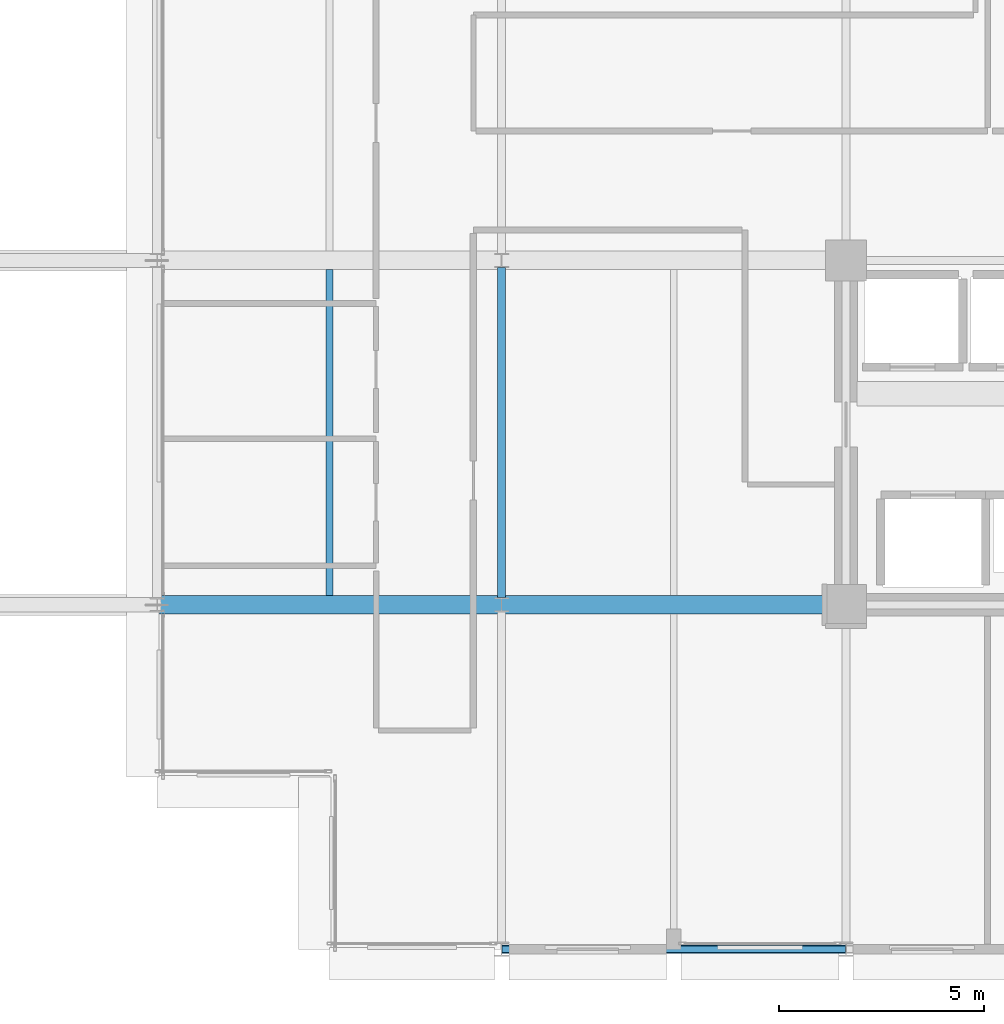
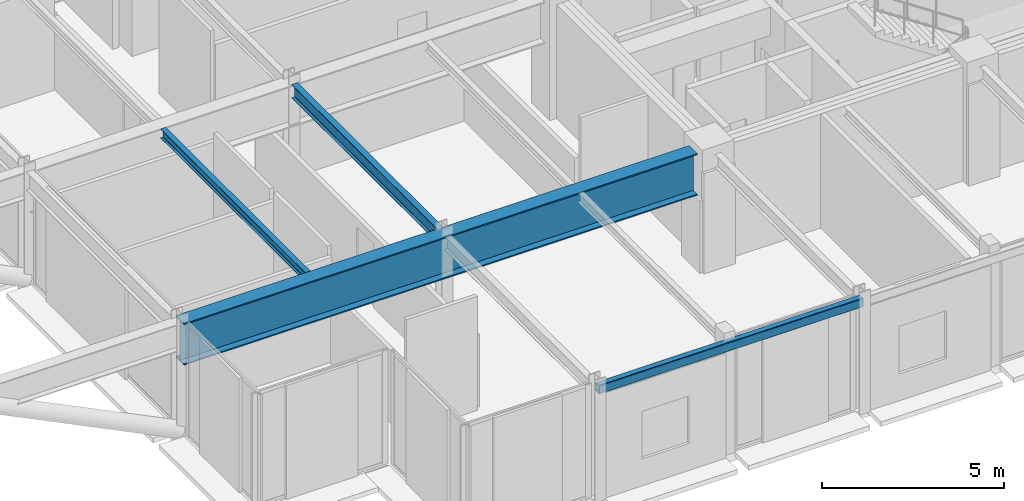
# One storey, part 5 of 30: 4 beams.
"""IFC4 building model written with IfcOpenShell, lengths in metres."""

import ifcopenshell
import ifcopenshell.guid

model = None  # the IFC model being written
_history = None  # IfcOwnerHistory: only IFC2X3 demands one
_inside = {}  # id of a spatial element -> (the spatial element, [elements in it])
_under = {}  # id of a project, library or spatial element -> (it, [spatial elements below it])
_declared = {}  # id of a project -> (the project, [libraries it declares])
_typed = {}  # id of a type object -> (the type object, [elements of that type])
_made_of = {}  # id of a material, layer set ... -> (it, [elements and type objects made of it])


def new_model(schema):
    """Start an empty IFC model of exactly this schema.

    Asked for "IFC4X3", IfcOpenShell would pick the latest addendum, in which some entities
    have other attributes; the version numbers below select the first issue.
    IFC2X3 requires an IfcOwnerHistory on every rooted entity: one is made here for all.
    """
    global model, _history
    if schema == "IFC4X3":
        model = ifcopenshell.file(schema_version=(4, 3, 0, 0))
    else:
        model = ifcopenshell.file(schema=schema)
    _inside.clear()
    _under.clear()
    _declared.clear()
    _typed.clear()
    _made_of.clear()
    _history = None
    if model.schema == "IFC2X3":
        org = make("IfcOrganization", Name="unknown")
        user = make(
            "IfcPersonAndOrganization",
            ThePerson=make("IfcPerson", FamilyName="unknown"),
            TheOrganization=org,
        )
        app = make(
            "IfcApplication",
            ApplicationDeveloper=org,
            Version="unknown",
            ApplicationFullName="unknown",
            ApplicationIdentifier="unknown",
        )
        _history = make(
            "IfcOwnerHistory",
            OwningUser=user,
            OwningApplication=app,
            ChangeAction="ADDED",
            CreationDate=0,
        )
    return model


def make(cls, **values):
    """One entity of the class cls with the attributes given. An attribute that is None is left unset."""
    return model.create_entity(
        cls, **{name: value for name, value in values.items() if value is not None}
    )


def rooted(cls, **values):
    """An entity with a GlobalId (a new one), such as an element, a storey or a relation."""
    return make(cls, GlobalId=ifcopenshell.guid.new(), OwnerHistory=_history, **values)


def si_unit(unit_type, name, prefix=None):
    """IfcSIUnit, for example si_unit("LENGTHUNIT", "METRE", prefix="MILLI")."""
    return make("IfcSIUnit", UnitType=unit_type, Prefix=prefix, Name=name)


def assignment(units):
    """IfcUnitAssignment: the units of a project."""
    return None if units is None else make("IfcUnitAssignment", Units=units)


def point(xyz):
    """IfcCartesianPoint."""
    return None if xyz is None else make("IfcCartesianPoint", Coordinates=xyz)


def direction(xyz):
    """IfcDirection."""
    return None if xyz is None else make("IfcDirection", DirectionRatios=xyz)


def frame(location, z_axis=None, x_axis=None):
    """IfcAxis2Placement3D, a coordinate frame: its origin and axes. An axis left out is left unset."""
    return make(
        "IfcAxis2Placement3D",
        Location=point(location),
        Axis=direction(z_axis),
        RefDirection=direction(x_axis),
    )


def frame_2d(location, x_axis=None):
    """IfcAxis2Placement2D, a coordinate frame in the plane: its origin and x axis."""
    return make(
        "IfcAxis2Placement2D", Location=point(location), RefDirection=direction(x_axis)
    )


def origin():
    """The frame at (0, 0, 0) with its axes left unset."""
    return frame((0.0, 0.0, 0.0))


def origin_2d():
    """The frame at (0, 0) in the plane with its x axis left unset."""
    return frame_2d((0.0, 0.0))


def place(relative_to, where):
    """IfcLocalPlacement: puts the frame where relative to a parent placement (None: the world)."""
    return make(
        "IfcLocalPlacement", PlacementRelTo=relative_to, RelativePlacement=where
    )


def context(
    kind, dimensions, precision=None, world=None, true_north=None, identifier=None
):
    """IfcGeometricRepresentationContext, for example the 3D "Model" context."""
    return make(
        "IfcGeometricRepresentationContext",
        ContextIdentifier=identifier,
        ContextType=kind,
        CoordinateSpaceDimension=dimensions,
        Precision=precision,
        WorldCoordinateSystem=world,
        TrueNorth=true_north,
    )


def subcontext(parent, identifier, kind, view, scale=None):
    """IfcGeometricRepresentationSubContext, for example "Body" below "Model"."""
    return make(
        "IfcGeometricRepresentationSubContext",
        ContextIdentifier=identifier,
        ContextType=kind,
        ParentContext=parent,
        TargetScale=scale,
        TargetView=view,
    )


def project(units=None, contexts=None):
    """IfcProject with its units and contexts."""
    return rooted(
        "IfcProject",
        Name="project",
        RepresentationContexts=contexts,
        UnitsInContext=assignment(units),
    )


def spatial(cls, under=None, at=None, **own):
    """A site, building, storey or space (cls), placed at a placement, below another one or the project."""
    s = rooted(cls, ObjectPlacement=at, **own)
    if under is not None:
        _under.setdefault(under.id(), (under, []))[1].append(s)
    return s


def profile(cls, at=None, kind="AREA", **sizes):
    """A parametric profile (cls). Its sizes go by their IFC names, for example OverallWidth=200.0."""
    return make(cls, ProfileType=kind, Position=at, **sizes)


def hollow_rectangle(**sizes):
    """IfcRectangleHollowProfileDef."""
    return profile("IfcRectangleHollowProfileDef", **sizes)


def i_section(**sizes):
    """IfcIShapeProfileDef."""
    return profile("IfcIShapeProfileDef", **sizes)


def extrude(swept, where, along, depth):
    """IfcExtrudedAreaSolid: the profile swept, set in the frame where, extruded along a direction by depth."""
    return make(
        "IfcExtrudedAreaSolid",
        SweptArea=swept,
        Position=where,
        ExtrudedDirection=direction(along),
        Depth=depth,
    )


def shape(context_of_items, identifier, shape_type, items):
    """IfcShapeRepresentation: the items that make up one representation, for example the "Body"."""
    return make(
        "IfcShapeRepresentation",
        ContextOfItems=context_of_items,
        RepresentationIdentifier=identifier,
        RepresentationType=shape_type,
        Items=items,
    )


def material(Name=None, Category=None):
    """IfcMaterial."""
    return make("IfcMaterial", Name=Name, Category=Category)


def material_profile(
    of_material, cross_section, Name=None, Category=None, Priority=None
):
    """IfcMaterialProfile: a cross section and its material."""
    return make(
        "IfcMaterialProfile",
        Name=Name,
        Material=of_material,
        Profile=cross_section,
        Priority=Priority,
        Category=Category,
    )


def profile_set(profiles, Name=None, composite=None):
    """IfcMaterialProfileSet."""
    return make(
        "IfcMaterialProfileSet",
        Name=Name,
        MaterialProfiles=profiles,
        CompositeProfile=composite,
    )


def made_of(thing, what):
    """Note that an element or type object is made of a material, layer set ...; save() writes the relation."""
    if what is not None:
        _made_of.setdefault(what.id(), (what, []))[1].append(thing)
    return thing


def type_object(cls, material=None, **own):
    """A type object (cls), such as IfcWallType, which elements share."""
    return made_of(rooted(cls, **own), material)


def element(
    cls,
    number,
    at=None,
    inside=None,
    cuts=None,
    type_object=None,
    material=None,
    context=None,
    identifier="Body",
    shape_type=None,
    held_by="IfcProductDefinitionShape",
    body=None,
    shapes=None,
    **own,
):
    """One element of the class cls, such as IfcWall. Its Tag is "e" and its number.

    at: its placement. inside: the storey or other place that contains it. cuts: it is an
    opening in that element (IfcRelVoidsElement). A single representation is given by context,
    identifier, shape_type and body (its items); several are given by shapes. held_by: the class
    of the entity that holds the representations. save() writes the other relations.
    """
    e = rooted(cls, Tag="e%d" % number, ObjectPlacement=at, **own)
    if body is not None:
        shapes = [shape(context, identifier, shape_type, body)]
    if shapes is not None:
        e.Representation = make(held_by, Representations=shapes)
    if inside is not None:
        _inside.setdefault(inside.id(), (inside, []))[1].append(e)
    if cuts is not None:
        rooted(
            "IfcRelVoidsElement", RelatingBuildingElement=cuts, RelatedOpeningElement=e
        )
    if type_object is not None:
        _typed.setdefault(type_object.id(), (type_object, []))[1].append(e)
    return made_of(e, material)


def aggregate(whole, parts):
    """IfcRelAggregates: a whole, such as a stair, and the parts it consists of."""
    return rooted("IfcRelAggregates", RelatingObject=whole, RelatedObjects=parts)


def save(model, path):
    """Write the relations noted so far, then the file.

    IfcRelAggregates (storeys below a building ...), IfcRelContainedInSpatialStructure (elements
    in a storey), IfcRelDefinesByType, IfcRelAssociatesMaterial and IfcRelDeclares: one each for
    every whole, place, type object, material and project.
    """
    for whole, parts in _under.values():
        aggregate(whole, parts)
    for where, things in _inside.values():
        rooted(
            "IfcRelContainedInSpatialStructure",
            RelatedElements=things,
            RelatingStructure=where,
        )
    for kind, things in _typed.values():
        rooted("IfcRelDefinesByType", RelatedObjects=things, RelatingType=kind)
    for what, things in _made_of.values():
        rooted("IfcRelAssociatesMaterial", RelatedObjects=things, RelatingMaterial=what)
    for by, libraries in _declared.values():
        rooted("IfcRelDeclares", RelatingContext=by, RelatedDefinitions=libraries)
    model.write(path)


model = new_model("IFC4")

# Units and contexts
model_context = context("Model", 3, precision=1e-05, world=origin(), true_north=direction((0.0, 1.0)))
body_context = subcontext(model_context, "Body", "Model", "MODEL_VIEW")
ifc_project = project(units=[si_unit("LENGTHUNIT", "METRE"), si_unit("AREAUNIT", "SQUARE_METRE"), si_unit("VOLUMEUNIT", "CUBIC_METRE"), si_unit("PLANEANGLEUNIT", "RADIAN"), si_unit("MASSUNIT", "GRAM", prefix="KILO")], contexts=[model_context])

# Site, building, storey
site_placement = place(None, origin())
site = spatial("IfcSite", under=ifc_project, at=site_placement, CompositionType="ELEMENT")
building_placement = place(site_placement, origin())
building = spatial("IfcBuilding", under=site, at=building_placement, Name="Nerrivon Quay Data Exchange", CompositionType="ELEMENT")
storey_placement = place(building_placement, frame((0.0, 0.0, 167.300048828125)))
storey = spatial("IfcBuildingStorey", under=building, at=storey_placement, Name="L39", CompositionType="ELEMENT", Elevation=167.300048828125)

# Beams
ifc_material_1 = material(Name="Steel Grade 350", Category="steel")
ifc_material_profile_1 = material_profile(ifc_material_1, i_section(OverallWidth=0.18994140625, OverallDepth=0.4541015625, WebThickness=0.008544921875, FlangeThickness=0.0126953125, FilletRadius=0.011474609375, at=origin_2d()), Name="460UB67.1")
ifc_profile_set_1 = profile_set([ifc_material_profile_1], Name="Steel Grade 350")
beam_type_1 = type_object("IfcBeamType", Name="BM-G6-460UB67", PredefinedType="BEAM", material=ifc_profile_set_1)
beam_1_placement = place(storey_placement, frame((8.39990234375, 8.574951171875, 3.597900390625), z_axis=(0.0, 1.0, 0.0), x_axis=(-1.0, 0.0, 0.0)))
element("IfcBeam", 1, at=beam_1_placement, inside=storey, type_object=beam_type_1, Name="L39 NS Girder X=8.4 (8.4..16.8)", PredefinedType="BEAM", context=body_context, shape_type="SweptSolid", body=[
    extrude(i_section(OverallWidth=0.18994140625, OverallDepth=0.4541015625, WebThickness=0.008544921875, FlangeThickness=0.0126953125, FilletRadius=0.011474609375, at=origin_2d()), origin(), (0.0, 0.0, 1.0), 8.050048828125),
])
ifc_material_profile_2 = material_profile(ifc_material_1, i_section(OverallWidth=0.166015625, OverallDepth=0.306884765625, WebThickness=0.006591796875, FlangeThickness=0.01171875, FilletRadius=0.011474609375, at=origin_2d()), Name="310UB46.2")
ifc_profile_set_2 = profile_set([ifc_material_profile_2], Name="Steel Grade 350")
beam_type_2 = type_object("IfcBeamType", Name="BM-J5-310UB46", PredefinedType="JOIST", material=ifc_profile_set_2)
beam_2_placement = place(storey_placement, frame((4.199951171875, 8.625, 3.67138671875), z_axis=(0.0, 1.0, 0.0), x_axis=(-1.0, 0.0, 0.0)))
element("IfcBeam", 2, at=beam_2_placement, inside=storey, type_object=beam_type_2, Name="L39 Secondary Joist X=4.2 (8.4..16.8)", PredefinedType="JOIST", context=body_context, shape_type="SweptSolid", body=[
    extrude(i_section(OverallWidth=0.166015625, OverallDepth=0.306884765625, WebThickness=0.006591796875, FlangeThickness=0.01171875, FilletRadius=0.011474609375, at=origin_2d()), origin(), (0.0, 0.0, 1.0), 7.949951171875),
])
ifc_material_2 = material(Name="Steel Grade C350L0 (350 MPa)", Category="steel")
ifc_material_profile_3 = material_profile(ifc_material_2, hollow_rectangle(XDim=0.199951171875, YDim=0.300048828125, WallThickness=0.012451171875, InnerFilletRadius=0.018798828125, OuterFilletRadius=0.03125, at=origin_2d()), Name="300x200x12.5RHS")
ifc_profile_set_3 = profile_set([ifc_material_profile_3], Name="Steel Grade C350L0 (350 MPa)")
beam_type_3 = type_object("IfcBeamType", Name="BM-SP3-300x200RHS", PredefinedType="SPANDREL", material=ifc_profile_set_3)
beam_3_placement = place(storey_placement, frame((8.409912109375, 0.0, 3.675048828125), z_axis=(1.0, 0.0, 0.0), x_axis=(0.0, 1.0, 0.0)))
element("IfcBeam", 3, at=beam_3_placement, inside=storey, type_object=beam_type_3, Name="L39 EW Girder Y=0.0 (8.4..16.8)", PredefinedType="SPANDREL", context=body_context, shape_type="SweptSolid", body=[
    extrude(hollow_rectangle(XDim=0.199951171875, YDim=0.300048828125, WallThickness=0.012451171875, InnerFilletRadius=0.018798828125, OuterFilletRadius=0.03125, at=origin_2d()), origin(), (0.0, 0.0, 1.0), 8.380126953125),
])
ifc_material_profile_4 = material_profile(ifc_material_1, i_section(OverallWidth=0.449951171875, OverallDepth=1.39990234375, WebThickness=0.02001953125, FlangeThickness=0.0400390625, at=origin_2d()), Name="1400WG455")
ifc_profile_set_4 = profile_set([ifc_material_profile_4], Name="Steel Grade 350")
beam_type_4 = type_object("IfcBeamType", Name="BM-TG1-1400WG", PredefinedType="USERDEFINED", material=ifc_profile_set_4)
beam_4_placement = place(storey_placement, frame((0.010009765625, 8.39990234375, 3.125), z_axis=(1.0, 0.0, 0.0), x_axis=(0.0, 1.0, 0.0)))
element("IfcBeam", 4, at=beam_4_placement, inside=storey, type_object=beam_type_4, Name="L39 EW Girder Y=8.4 (0.0..8.4)", ObjectType="TRANSFER", PredefinedType="USERDEFINED", context=body_context, shape_type="SweptSolid", body=[
    extrude(i_section(OverallWidth=0.449951171875, OverallDepth=1.39990234375, WebThickness=0.02001953125, FlangeThickness=0.0400390625, at=origin_2d()), origin(), (0.0, 0.0, 1.0), 16.2900390625),
])

save(model, "model.ifc")
